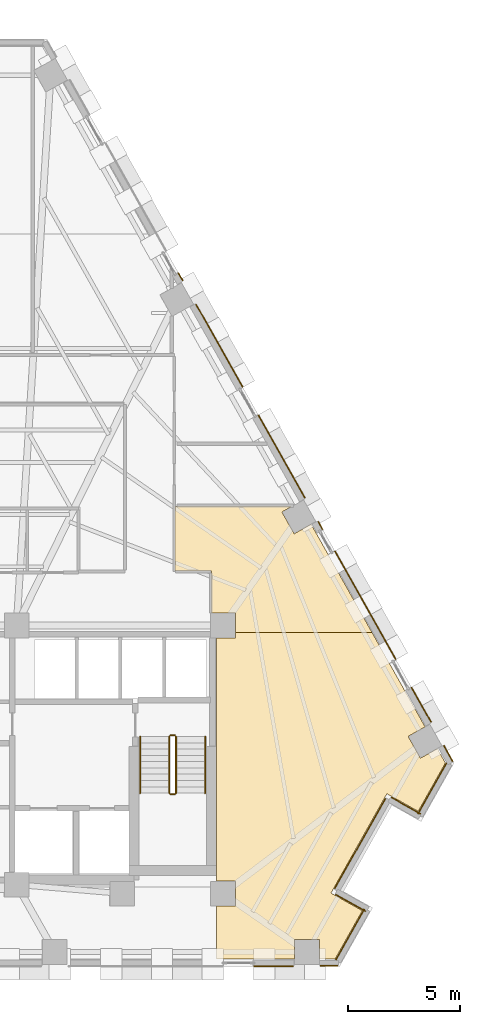
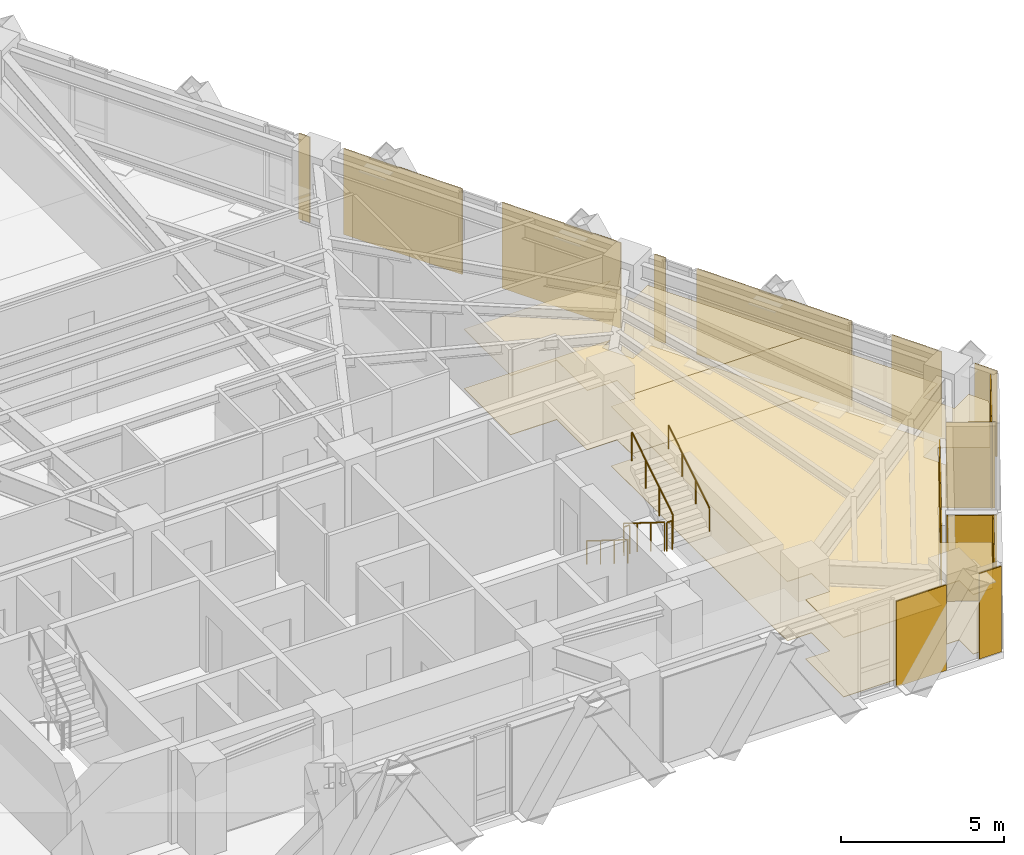
# One storey, part 12 of 13: 18 coverings, 6 railings.
"""IFC4 building model written with IfcOpenShell, lengths in metres."""

import ifcopenshell
import ifcopenshell.guid

model = None  # the IFC model being written
_history = None  # IfcOwnerHistory: only IFC2X3 demands one
_inside = {}  # id of a spatial element -> (the spatial element, [elements in it])
_under = {}  # id of a project, library or spatial element -> (it, [spatial elements below it])
_declared = {}  # id of a project -> (the project, [libraries it declares])
_typed = {}  # id of a type object -> (the type object, [elements of that type])
_made_of = {}  # id of a material, layer set ... -> (it, [elements and type objects made of it])


def new_model(schema):
    """Start an empty IFC model of exactly this schema.

    Asked for "IFC4X3", IfcOpenShell would pick the latest addendum, in which some entities
    have other attributes; the version numbers below select the first issue.
    IFC2X3 requires an IfcOwnerHistory on every rooted entity: one is made here for all.
    """
    global model, _history
    if schema == "IFC4X3":
        model = ifcopenshell.file(schema_version=(4, 3, 0, 0))
    else:
        model = ifcopenshell.file(schema=schema)
    _inside.clear()
    _under.clear()
    _declared.clear()
    _typed.clear()
    _made_of.clear()
    _history = None
    if model.schema == "IFC2X3":
        org = make("IfcOrganization", Name="unknown")
        user = make(
            "IfcPersonAndOrganization",
            ThePerson=make("IfcPerson", FamilyName="unknown"),
            TheOrganization=org,
        )
        app = make(
            "IfcApplication",
            ApplicationDeveloper=org,
            Version="unknown",
            ApplicationFullName="unknown",
            ApplicationIdentifier="unknown",
        )
        _history = make(
            "IfcOwnerHistory",
            OwningUser=user,
            OwningApplication=app,
            ChangeAction="ADDED",
            CreationDate=0,
        )
    return model


def make(cls, **values):
    """One entity of the class cls with the attributes given. An attribute that is None is left unset."""
    return model.create_entity(
        cls, **{name: value for name, value in values.items() if value is not None}
    )


def rooted(cls, **values):
    """An entity with a GlobalId (a new one), such as an element, a storey or a relation."""
    return make(cls, GlobalId=ifcopenshell.guid.new(), OwnerHistory=_history, **values)


def si_unit(unit_type, name, prefix=None):
    """IfcSIUnit, for example si_unit("LENGTHUNIT", "METRE", prefix="MILLI")."""
    return make("IfcSIUnit", UnitType=unit_type, Prefix=prefix, Name=name)


def assignment(units):
    """IfcUnitAssignment: the units of a project."""
    return None if units is None else make("IfcUnitAssignment", Units=units)


def point(xyz):
    """IfcCartesianPoint."""
    return None if xyz is None else make("IfcCartesianPoint", Coordinates=xyz)


def direction(xyz):
    """IfcDirection."""
    return None if xyz is None else make("IfcDirection", DirectionRatios=xyz)


def frame(location, z_axis=None, x_axis=None):
    """IfcAxis2Placement3D, a coordinate frame: its origin and axes. An axis left out is left unset."""
    return make(
        "IfcAxis2Placement3D",
        Location=point(location),
        Axis=direction(z_axis),
        RefDirection=direction(x_axis),
    )


def frame_2d(location, x_axis=None):
    """IfcAxis2Placement2D, a coordinate frame in the plane: its origin and x axis."""
    return make(
        "IfcAxis2Placement2D", Location=point(location), RefDirection=direction(x_axis)
    )


def origin():
    """The frame at (0, 0, 0) with its axes left unset."""
    return frame((0.0, 0.0, 0.0))


def origin_2d():
    """The frame at (0, 0) in the plane with its x axis left unset."""
    return frame_2d((0.0, 0.0))


def place(relative_to, where):
    """IfcLocalPlacement: puts the frame where relative to a parent placement (None: the world)."""
    return make(
        "IfcLocalPlacement", PlacementRelTo=relative_to, RelativePlacement=where
    )


def context(
    kind, dimensions, precision=None, world=None, true_north=None, identifier=None
):
    """IfcGeometricRepresentationContext, for example the 3D "Model" context."""
    return make(
        "IfcGeometricRepresentationContext",
        ContextIdentifier=identifier,
        ContextType=kind,
        CoordinateSpaceDimension=dimensions,
        Precision=precision,
        WorldCoordinateSystem=world,
        TrueNorth=true_north,
    )


def subcontext(parent, identifier, kind, view, scale=None):
    """IfcGeometricRepresentationSubContext, for example "Body" below "Model"."""
    return make(
        "IfcGeometricRepresentationSubContext",
        ContextIdentifier=identifier,
        ContextType=kind,
        ParentContext=parent,
        TargetScale=scale,
        TargetView=view,
    )


def project(units=None, contexts=None):
    """IfcProject with its units and contexts."""
    return rooted(
        "IfcProject",
        Name="project",
        RepresentationContexts=contexts,
        UnitsInContext=assignment(units),
    )


def spatial(cls, under=None, at=None, **own):
    """A site, building, storey or space (cls), placed at a placement, below another one or the project."""
    s = rooted(cls, ObjectPlacement=at, **own)
    if under is not None:
        _under.setdefault(under.id(), (under, []))[1].append(s)
    return s


def polyline(points):
    """IfcPolyline through the points."""
    return make("IfcPolyline", Points=[point(p) for p in points])


def profile(cls, at=None, kind="AREA", **sizes):
    """A parametric profile (cls). Its sizes go by their IFC names, for example OverallWidth=200.0."""
    return make(cls, ProfileType=kind, Position=at, **sizes)


def circle(**sizes):
    """IfcCircleProfileDef."""
    return profile("IfcCircleProfileDef", **sizes)


def outline(outer, holes=None, kind="AREA"):
    """IfcArbitraryClosedProfileDef: a profile drawn as a closed curve; with holes, ...WithVoids."""
    if holes is None:
        return make("IfcArbitraryClosedProfileDef", ProfileType=kind, OuterCurve=outer)
    return make(
        "IfcArbitraryProfileDefWithVoids",
        ProfileType=kind,
        OuterCurve=outer,
        InnerCurves=holes,
    )


def extrude(swept, where, along, depth):
    """IfcExtrudedAreaSolid: the profile swept, set in the frame where, extruded along a direction by depth."""
    return make(
        "IfcExtrudedAreaSolid",
        SweptArea=swept,
        Position=where,
        ExtrudedDirection=direction(along),
        Depth=depth,
    )


def shape(context_of_items, identifier, shape_type, items):
    """IfcShapeRepresentation: the items that make up one representation, for example the "Body"."""
    return make(
        "IfcShapeRepresentation",
        ContextOfItems=context_of_items,
        RepresentationIdentifier=identifier,
        RepresentationType=shape_type,
        Items=items,
    )


def material(Name=None, Category=None):
    """IfcMaterial."""
    return make("IfcMaterial", Name=Name, Category=Category)


def layer(
    of_material, thickness, ventilated=None, Name=None, Category=None, Priority=None
):
    """IfcMaterialLayer: one layer of a wall or slab, of a material (None: an air gap)."""
    return make(
        "IfcMaterialLayer",
        Material=of_material,
        LayerThickness=thickness,
        IsVentilated=ventilated,
        Name=Name,
        Category=Category,
        Priority=Priority,
    )


def layer_set(layers, Name=None):
    """IfcMaterialLayerSet."""
    return make("IfcMaterialLayerSet", MaterialLayers=layers, LayerSetName=Name)


def made_of(thing, what):
    """Note that an element or type object is made of a material, layer set ...; save() writes the relation."""
    if what is not None:
        _made_of.setdefault(what.id(), (what, []))[1].append(thing)
    return thing


def type_object(cls, material=None, **own):
    """A type object (cls), such as IfcWallType, which elements share."""
    return made_of(rooted(cls, **own), material)


def element(
    cls,
    number,
    at=None,
    inside=None,
    cuts=None,
    type_object=None,
    material=None,
    context=None,
    identifier="Body",
    shape_type=None,
    held_by="IfcProductDefinitionShape",
    body=None,
    shapes=None,
    **own,
):
    """One element of the class cls, such as IfcWall. Its Tag is "e" and its number.

    at: its placement. inside: the storey or other place that contains it. cuts: it is an
    opening in that element (IfcRelVoidsElement). A single representation is given by context,
    identifier, shape_type and body (its items); several are given by shapes. held_by: the class
    of the entity that holds the representations. save() writes the other relations.
    """
    e = rooted(cls, Tag="e%d" % number, ObjectPlacement=at, **own)
    if body is not None:
        shapes = [shape(context, identifier, shape_type, body)]
    if shapes is not None:
        e.Representation = make(held_by, Representations=shapes)
    if inside is not None:
        _inside.setdefault(inside.id(), (inside, []))[1].append(e)
    if cuts is not None:
        rooted(
            "IfcRelVoidsElement", RelatingBuildingElement=cuts, RelatedOpeningElement=e
        )
    if type_object is not None:
        _typed.setdefault(type_object.id(), (type_object, []))[1].append(e)
    return made_of(e, material)


def aggregate(whole, parts):
    """IfcRelAggregates: a whole, such as a stair, and the parts it consists of."""
    return rooted("IfcRelAggregates", RelatingObject=whole, RelatedObjects=parts)


def save(model, path):
    """Write the relations noted so far, then the file.

    IfcRelAggregates (storeys below a building ...), IfcRelContainedInSpatialStructure (elements
    in a storey), IfcRelDefinesByType, IfcRelAssociatesMaterial and IfcRelDeclares: one each for
    every whole, place, type object, material and project.
    """
    for whole, parts in _under.values():
        aggregate(whole, parts)
    for where, things in _inside.values():
        rooted(
            "IfcRelContainedInSpatialStructure",
            RelatedElements=things,
            RelatingStructure=where,
        )
    for kind, things in _typed.values():
        rooted("IfcRelDefinesByType", RelatedObjects=things, RelatingType=kind)
    for what, things in _made_of.values():
        rooted("IfcRelAssociatesMaterial", RelatedObjects=things, RelatingMaterial=what)
    for by, libraries in _declared.values():
        rooted("IfcRelDeclares", RelatingContext=by, RelatedDefinitions=libraries)
    model.write(path)


model = new_model("IFC4")

# Units and contexts
model_context = context("Model", 3, precision=1e-05, world=origin(), true_north=direction((0.0, 1.0)))
body_context = subcontext(model_context, "Body", "Model", "MODEL_VIEW")
ifc_project = project(units=[si_unit("LENGTHUNIT", "METRE"), si_unit("AREAUNIT", "SQUARE_METRE"), si_unit("VOLUMEUNIT", "CUBIC_METRE"), si_unit("PLANEANGLEUNIT", "RADIAN"), si_unit("MASSUNIT", "GRAM", prefix="KILO")], contexts=[model_context])

# Site, building, storey
site_placement = place(None, origin())
site = spatial("IfcSite", under=ifc_project, at=site_placement, CompositionType="ELEMENT")
building_placement = place(site_placement, origin())
building = spatial("IfcBuilding", under=site, at=building_placement, Name="Quenlor Broadcast Tower", CompositionType="ELEMENT")
storey_placement = place(building_placement, frame((0.0, 0.0, 95.0)))
storey = spatial("IfcBuildingStorey", under=building, at=storey_placement, Name="L25", CompositionType="ELEMENT", Elevation=95.0)

# Coverings
ifc_material_1 = material(Name="Acoustic Mineral Fibre Board", Category="other")
ifc_layer_1 = layer(ifc_material_1, 0.02490234375)
ifc_layer_set_1 = layer_set([ifc_layer_1], Name="Acoustic Perforated Mineral Tile Ceiling 25")
covering_type_1 = type_object("IfcCoveringType", Name="Acoustic Perforated Mineral Tile Ceiling 25", PredefinedType="CEILING", material=ifc_layer_set_1)
covering_1_placement = place(storey_placement, frame((0.0, 0.0, 2.22509765625)))
element("IfcCovering", 1, at=covering_1_placement, inside=storey, type_object=covering_type_1, Name="L25 Acoustic Ceiling L25-38-2", PredefinedType="CEILING", context=body_context, shape_type="SweptSolid", body=[
    extrude(outline(polyline([(13.508056640625, -4.241943359375), (12.43994140625, -4.241943359375), (12.43994140625, -2.3701171875), (10.804931640625, -2.3701171875), (10.804931640625, 0.499755859375), (16.004150390625, 0.499755859375), (15.5703125, 0.255615234375), (16.1171875, -0.717041015625), (16.873779296875, -0.29150390625), (19.58984375, -5.1201171875), (13.508056640625, -5.1201171875), (13.508056640625, -4.241943359375)])), origin(), (0.0, 0.0, 1.0), 0.02490234375),
])
covering_2_placement = place(storey_placement, frame((0.0, 0.0, 2.22509765625)))
element("IfcCovering", 2, at=covering_2_placement, inside=storey, type_object=covering_type_1, Name="L25 Acoustic Ceiling L25-38-5", PredefinedType="CEILING", context=body_context, shape_type="SweptSolid", body=[
    extrude(outline(polyline([(13.508056640625, -17.30810546875), (13.508056640625, -16.19189453125), (12.64990234375, -16.19189453125), (12.64990234375, -5.35791015625), (13.508056640625, -5.35791015625), (13.508056640625, -5.1201171875), (19.58984375, -5.1201171875), (21.951416015625, -9.318115234375), (21.19482421875, -9.74365234375), (21.741943359375, -10.71630859375), (22.49853515625, -10.290771484375), (22.85693359375, -10.927978515625), (21.64453125, -13.08349609375), (20.25, -12.299072265625), (17.759521484375, -16.7265625), (19.15380859375, -17.510986328125), (17.9453125, -19.659912109375), (17.25048828125, -19.659912109375), (17.25048828125, -18.7919921875), (16.134521484375, -18.7919921875), (16.134521484375, -19.659912109375), (12.64990234375, -19.659912109375), (12.64990234375, -17.30810546875), (13.508056640625, -17.30810546875)])), origin(), (0.0, 0.0, 1.0), 0.02490234375),
])
ifc_material_2 = material(Name="Architectural Terracotta Ceramic", Category="masonry")
ifc_layer_2 = layer(ifc_material_2, 0.044921875)
ifc_layer_set_2 = layer_set([ifc_layer_2], Name="Fluted Terracotta Rainscreen Cladding Panel")
covering_type_2 = type_object("IfcCoveringType", Name="Fluted Terracotta Rainscreen Cladding Panel", PredefinedType="CLADDING", material=ifc_layer_set_2)
covering_3_placement = place(storey_placement, frame((0.0, 0.0, 0.02001953125)))
element("IfcCovering", 3, at=covering_3_placement, inside=storey, type_object=covering_type_2, Name="L25 Terracotta Rainscreen Cladding L25-SHD-SS0", PredefinedType="CLADDING", context=body_context, shape_type="SweptSolid", body=[
    extrude(outline(polyline([(18.053955078125, -19.951904296875), (17.277587890625, -19.951904296875), (17.277587890625, -19.9970703125), (18.053955078125, -19.9970703125), (18.053955078125, -19.951904296875)])), origin(), (0.0, 0.0, 1.0), 3.2099609375),
])
covering_4_placement = place(storey_placement, frame((0.0, 0.0, 0.02001953125)))
element("IfcCovering", 4, at=covering_4_placement, inside=storey, type_object=covering_type_2, Name="L25 Terracotta Rainscreen Cladding L25-SA-SP1", PredefinedType="CLADDING", context=body_context, shape_type="SweptSolid", body=[
    extrude(outline(polyline([(16.08740234375, -19.971923828125), (14.32177734375, -19.971923828125), (14.32177734375, -20.01708984375), (16.08740234375, -20.01708984375), (16.08740234375, -19.971923828125)])), origin(), (0.0, 0.0, 1.0), 3.2099609375),
])
covering_5_placement = place(storey_placement, frame((0.0, 0.0, 0.02001953125)))
element("IfcCovering", 5, at=covering_5_placement, inside=storey, type_object=covering_type_2, Name="L25 Terracotta Rainscreen Cladding L25-SHD-NES1", PredefinedType="CLADDING", context=body_context, shape_type="SweptSolid", body=[
    extrude(outline(polyline([(22.76611328125, -10.171142578125), (23.160888671875, -10.873046875), (23.2001953125, -10.85107421875), (22.805419921875, -10.149169921875), (22.76611328125, -10.171142578125)])), origin(), (0.0, 0.0, 1.0), 3.2099609375),
])
covering_6_placement = place(storey_placement, frame((0.0, 0.0, 0.02001953125)))
element("IfcCovering", 6, at=covering_6_placement, inside=storey, type_object=covering_type_2, Name="L25 Terracotta Rainscreen Cladding L25-NEA-SP3", PredefinedType="CLADDING", context=body_context, shape_type="SweptSolid", body=[
    extrude(outline(polyline([(10.936279296875, 10.900634765625), (11.13232421875, 10.552001953125), (11.171630859375, 10.57421875), (10.9755859375, 10.922607421875), (10.936279296875, 10.900634765625)])), origin(), (0.0, 0.0, 1.0), 3.2099609375),
])
covering_7_placement = place(storey_placement, frame((0.0, 0.0, 0.02001953125)))
element("IfcCovering", 7, at=covering_7_placement, inside=storey, type_object=covering_type_2, Name="L25 Terracotta Rainscreen Cladding L25-NEC-SP1", PredefinedType="CLADDING", context=body_context, shape_type="SweptSolid", body=[
    extrude(outline(polyline([(17.168701171875, -0.179443359375), (17.36474609375, -0.528076171875), (17.404052734375, -0.506103515625), (17.2080078125, -0.157470703125), (17.168701171875, -0.179443359375)])), origin(), (0.0, 0.0, 1.0), 3.2099609375),
])
covering_8_placement = place(storey_placement, frame((0.0, 0.0, 0.02001953125)))
element("IfcCovering", 8, at=covering_8_placement, inside=storey, type_object=covering_type_2, Name="L25 Terracotta Rainscreen Cladding L25-NEC-SP2", PredefinedType="CLADDING", context=body_context, shape_type="SweptSolid", body=[
    extrude(outline(polyline([(17.912841796875, -1.502197265625), (20.62744140625, -6.328369140625), (20.666748046875, -6.306396484375), (17.951904296875, -1.47998046875), (17.912841796875, -1.502197265625)])), origin(), (0.0, 0.0, 1.0), 3.2099609375),
])
covering_9_placement = place(storey_placement, frame((0.0, 0.0, 0.02001953125)))
element("IfcCovering", 9, at=covering_9_placement, inside=storey, type_object=covering_type_2, Name="L25 Terracotta Rainscreen Cladding L25-NEC-SP3", PredefinedType="CLADDING", context=body_context, shape_type="SweptSolid", body=[
    extrude(outline(polyline([(21.325927734375, -7.56982421875), (22.2001953125, -9.1240234375), (22.239501953125, -9.10205078125), (21.364990234375, -7.5478515625), (21.325927734375, -7.56982421875)])), origin(), (0.0, 0.0, 1.0), 3.2099609375),
])
covering_10_placement = place(storey_placement, frame((0.0, 0.0, 0.02001953125)))
element("IfcCovering", 10, at=covering_10_placement, inside=storey, type_object=covering_type_2, Name="L25 Terracotta Rainscreen Cladding L25-NE-SP1", PredefinedType="CLADDING", context=body_context, shape_type="SweptSolid", body=[
    extrude(outline(polyline([(11.72314453125, 9.501708984375), (13.801513671875, 5.806884765625), (13.8408203125, 5.8291015625), (11.76220703125, 9.523681640625), (11.72314453125, 9.501708984375)])), origin(), (0.0, 0.0, 1.0), 3.2099609375),
])
covering_11_placement = place(storey_placement, frame((0.0, 0.0, 0.02001953125)))
element("IfcCovering", 11, at=covering_11_placement, inside=storey, type_object=covering_type_2, Name="L25 Terracotta Rainscreen Cladding L25-NE-SP2", PredefinedType="CLADDING", context=body_context, shape_type="SweptSolid", body=[
    extrude(outline(polyline([(14.499755859375, 4.565673828125), (16.577880859375, 0.870849609375), (16.6171875, 0.892822265625), (14.538818359375, 4.587646484375), (14.499755859375, 4.565673828125)])), origin(), (0.0, 0.0, 1.0), 3.2099609375),
])
covering_12_placement = place(storey_placement, frame((0.0, 0.0, 0.02001953125)))
element("IfcCovering", 12, at=covering_12_placement, inside=storey, type_object=covering_type_2, Name="L25 Terracotta Rainscreen Cladding L25-CNR-01", PredefinedType="CLADDING", context=body_context, shape_type="SweptSolid", body=[
    extrude(outline(polyline([(19.31787109375, -17.525390625), (17.9755859375, -16.770263671875), (17.95361328125, -16.8095703125), (19.2958984375, -17.564697265625), (19.31787109375, -17.525390625)])), origin(), (0.0, 0.0, 1.0), 3.2099609375),
])
covering_13_placement = place(storey_placement, frame((0.0, 0.0, 0.02001953125)))
element("IfcCovering", 13, at=covering_13_placement, inside=storey, type_object=covering_type_2, Name="L25 Terracotta Rainscreen Cladding L25-CNR-02", PredefinedType="CLADDING", context=body_context, shape_type="SweptSolid", body=[
    extrude(outline(polyline([(17.941162109375, -16.5419921875), (20.206298828125, -12.515380859375), (20.1669921875, -12.493408203125), (17.902099609375, -16.52001953125), (17.941162109375, -16.5419921875)])), origin(), (0.0, 0.0, 1.0), 2.681884765625),
])
covering_14_placement = place(storey_placement, frame((0.0, 0.0, 0.02001953125)))
element("IfcCovering", 14, at=covering_14_placement, inside=storey, type_object=covering_type_2, Name="L25 Terracotta Rainscreen Cladding L25-CNR-03", PredefinedType="CLADDING", context=body_context, shape_type="SweptSolid", body=[
    extrude(outline(polyline([(20.4345703125, -12.48095703125), (21.741943359375, -13.21630859375), (21.763916015625, -13.177001953125), (20.45654296875, -12.441650390625), (20.4345703125, -12.48095703125)])), origin(), (0.0, 0.0, 1.0), 3.2099609375),
])
covering_15_placement = place(storey_placement, frame((0.0, 0.0, 0.02001953125)))
element("IfcCovering", 15, at=covering_15_placement, inside=storey, type_object=covering_type_2, Name="L25 Terracotta Rainscreen Cladding L25-CNR-04", PredefinedType="CLADDING", context=body_context, shape_type="SweptSolid", body=[
    extrude(outline(polyline([(21.64990234375, -13.212646484375), (22.926513671875, -10.94287109375), (22.887451171875, -10.9208984375), (21.610595703125, -13.190673828125), (21.64990234375, -13.212646484375)])), origin(), (0.0, 0.0, 1.0), 3.2099609375),
])
covering_16_placement = place(storey_placement, frame((0.0, 0.0, 0.02001953125)))
element("IfcCovering", 16, at=covering_16_placement, inside=storey, type_object=covering_type_2, Name="L25 Terracotta Rainscreen Cladding L25-CNR-18", PredefinedType="CLADDING", context=body_context, shape_type="SweptSolid", body=[
    extrude(outline(polyline([(17.991943359375, -19.71533203125), (19.26708984375, -17.448486328125), (19.227783203125, -17.426513671875), (17.952880859375, -19.693359375), (17.991943359375, -19.71533203125)])), origin(), (0.0, 0.0, 1.0), 3.2099609375),
])
ifc_material_3 = material(Name="Terrazzo Stone Finish", Category="masonry")
ifc_layer_3 = layer(ifc_material_3, 0.02001953125)
ifc_layer_set_3 = layer_set([ifc_layer_3], Name="Polished Sandstone Terrazzo Flooring 20")
covering_type_3 = type_object("IfcCoveringType", Name="Polished Sandstone Terrazzo Flooring 20", PredefinedType="FLOORING", material=ifc_layer_set_3)
covering_17_placement = place(storey_placement, origin())
element("IfcCovering", 17, at=covering_17_placement, inside=storey, type_object=covering_type_3, Name="L25 Terrazzo Flooring L25-38-2", PredefinedType="FLOORING", context=body_context, shape_type="SweptSolid", body=[
    extrude(outline(polyline([(13.508056640625, -4.241943359375), (12.43994140625, -4.241943359375), (12.43994140625, -2.3701171875), (10.804931640625, -2.3701171875), (10.804931640625, 0.499755859375), (16.004150390625, 0.499755859375), (15.5703125, 0.255615234375), (16.1171875, -0.717041015625), (16.873779296875, -0.29150390625), (19.58984375, -5.1201171875), (13.508056640625, -5.1201171875), (13.508056640625, -4.241943359375)])), origin(), (0.0, 0.0, 1.0), 0.02001953125),
])
covering_18_placement = place(storey_placement, origin())
element("IfcCovering", 18, at=covering_18_placement, inside=storey, type_object=covering_type_3, Name="L25 Terrazzo Flooring L25-38-5", PredefinedType="FLOORING", context=body_context, shape_type="SweptSolid", body=[
    extrude(outline(polyline([(13.508056640625, -17.30810546875), (13.508056640625, -16.19189453125), (12.64990234375, -16.19189453125), (12.64990234375, -5.35791015625), (13.508056640625, -5.35791015625), (13.508056640625, -5.1201171875), (19.58984375, -5.1201171875), (21.951416015625, -9.318115234375), (21.19482421875, -9.74365234375), (21.741943359375, -10.71630859375), (22.49853515625, -10.290771484375), (22.85693359375, -10.927978515625), (21.64453125, -13.08349609375), (20.25, -12.299072265625), (17.759521484375, -16.7265625), (19.15380859375, -17.510986328125), (17.9453125, -19.659912109375), (17.25048828125, -19.659912109375), (17.25048828125, -18.7919921875), (16.134521484375, -18.7919921875), (16.134521484375, -19.659912109375), (12.64990234375, -19.659912109375), (12.64990234375, -17.30810546875), (13.508056640625, -17.30810546875)])), origin(), (0.0, 0.0, 1.0), 0.02001953125),
])

# Railings
ifc_material_4 = material(Name="Anodised Aluminium", Category="aluminium")
railing_type_1 = type_object("IfcRailingType", Name="Stainless Aluminium Wall Handrail 900", PredefinedType="HANDRAIL", material=ifc_material_4)
railing_1_placement = place(storey_placement, frame((9.25, -9.75, 0.175048828125)))
element("IfcRailing", 19, at=railing_1_placement, inside=storey, type_object=railing_type_1, Name="L25 ST-2 stair handrail 1", PredefinedType="HANDRAIL", context=body_context, shape_type="SweptSolid", body=[
    extrude(circle(Radius=0.02392578125, at=origin_2d()), frame((0.0, 0.0, 0.8759765625), z_axis=(0.0, -0.848007534815, 0.529984170421), x_axis=(1.0, 0.0, 0.0)), (0.0, 0.0, 1.0), 2.9716796875),
    extrude(circle(Radius=0.02099609375, at=origin_2d()), origin(), (0.0, 0.0, 1.0), 0.851806640625),
    extrude(circle(Radius=0.02099609375, at=origin_2d()), frame((0.0, -0.840087890625, 0.52490234375)), (0.0, 0.0, 1.0), 0.851806640625),
    extrude(circle(Radius=0.02099609375, at=origin_2d()), frame((0.0, -1.679931640625, 1.050048828125)), (0.0, 0.0, 1.0), 0.851806640625),
    extrude(circle(Radius=0.02099609375, at=origin_2d()), frame((0.0, -2.52001953125, 1.574951171875)), (0.0, 0.0, 1.0), 0.851806640625),
])
railing_2_placement = place(storey_placement, frame((12.14990234375, -12.27001953125, 1.925048828125)))
element("IfcRailing", 20, at=railing_2_placement, inside=storey, type_object=railing_type_1, Name="L25 ST-2 stair handrail 2", PredefinedType="HANDRAIL", context=body_context, shape_type="SweptSolid", body=[
    extrude(circle(Radius=0.02392578125, at=origin_2d()), frame((0.0, 0.0, 0.8759765625), z_axis=(0.0, 0.848007534815, 0.529984170421), x_axis=(-1.0, 0.0, 0.0)), (0.0, 0.0, 1.0), 2.9716796875),
    extrude(circle(Radius=0.02099609375, at=origin_2d()), origin(), (0.0, 0.0, 1.0), 0.851806640625),
    extrude(circle(Radius=0.02099609375, at=origin_2d()), frame((0.0, 0.840087890625, 0.52490234375)), (0.0, 0.0, 1.0), 0.851806640625),
    extrude(circle(Radius=0.02099609375, at=origin_2d()), frame((0.0, 1.679931640625, 1.050048828125)), (0.0, 0.0, 1.0), 0.851806640625),
    extrude(circle(Radius=0.02099609375, at=origin_2d()), frame((0.0, 2.52001953125, 1.574951171875)), (0.0, 0.0, 1.0), 0.851806640625),
])
ifc_material_5 = material(Name="Steel S355", Category="steel")
railing_type_2 = type_object("IfcRailingType", Name="Tubular Steel S355 Stair Guardrail 1100", PredefinedType="BALUSTRADE", material=ifc_material_5)
railing_3_placement = place(storey_placement, frame((10.550048828125, -9.75, 0.175048828125)))
element("IfcRailing", 21, at=railing_3_placement, inside=storey, type_object=railing_type_2, Name="L25 ST-2 stair guard 1", PredefinedType="BALUSTRADE", context=body_context, shape_type="SweptSolid", body=[
    extrude(circle(Radius=0.02392578125, at=origin_2d()), frame((0.0, 0.0, 1.076171875), z_axis=(0.0, -0.848007534815, 0.529984170421), x_axis=(1.0, 0.0, 0.0)), (0.0, 0.0, 1.0), 2.9716796875),
    extrude(circle(Radius=0.02099609375, at=origin_2d()), origin(), (0.0, 0.0, 1.0), 1.052001953125),
    extrude(circle(Radius=0.02099609375, at=origin_2d()), frame((0.0, -0.840087890625, 0.52490234375)), (0.0, 0.0, 1.0), 1.052001953125),
    extrude(circle(Radius=0.02099609375, at=origin_2d()), frame((0.0, -1.679931640625, 1.050048828125)), (0.0, 0.0, 1.0), 1.052001953125),
    extrude(circle(Radius=0.02099609375, at=origin_2d()), frame((0.0, -2.52001953125, 1.574951171875)), (0.0, 0.0, 1.0), 1.052001953125),
])
railing_4_placement = place(storey_placement, frame((10.60009765625, -12.320068359375, 1.75)))
element("IfcRailing", 22, at=railing_4_placement, inside=storey, type_object=railing_type_2, Name="L25 ST-2 stair guard 2", PredefinedType="BALUSTRADE", context=body_context, shape_type="SweptSolid", body=[
    extrude(circle(Radius=0.02392578125, at=origin_2d()), frame((0.0, 0.0, 1.076171875), z_axis=(1.0, 0.0, 0.0), x_axis=(0.0, 1.0, 0.0)), (0.0, 0.0, 1.0), 0.199951171875),
    extrude(circle(Radius=0.02099609375, at=origin_2d()), origin(), (0.0, 0.0, 1.0), 1.052001953125),
    extrude(circle(Radius=0.02099609375, at=origin_2d()), frame((0.199951171875, 0.0, 0.0)), (0.0, 0.0, 1.0), 1.052001953125),
])
railing_5_placement = place(storey_placement, frame((10.85009765625, -12.27001953125, 1.925048828125)))
element("IfcRailing", 23, at=railing_5_placement, inside=storey, type_object=railing_type_2, Name="L25 ST-2 stair guard 3", PredefinedType="BALUSTRADE", context=body_context, shape_type="SweptSolid", body=[
    extrude(circle(Radius=0.02392578125, at=origin_2d()), frame((0.0, 0.0, 1.076171875), z_axis=(0.0, 0.848007534815, 0.529984170421), x_axis=(-1.0, 0.0, 0.0)), (0.0, 0.0, 1.0), 2.9716796875),
    extrude(circle(Radius=0.02099609375, at=origin_2d()), origin(), (0.0, 0.0, 1.0), 1.052001953125),
    extrude(circle(Radius=0.02099609375, at=origin_2d()), frame((0.0, 0.840087890625, 0.52490234375)), (0.0, 0.0, 1.0), 1.052001953125),
    extrude(circle(Radius=0.02099609375, at=origin_2d()), frame((0.0, 1.679931640625, 1.050048828125)), (0.0, 0.0, 1.0), 1.052001953125),
    extrude(circle(Radius=0.02099609375, at=origin_2d()), frame((0.0, 2.52001953125, 1.574951171875)), (0.0, 0.0, 1.0), 1.052001953125),
])
railing_6_placement = place(storey_placement, frame((10.60009765625, -9.699951171875, 0.0)))
element("IfcRailing", 24, at=railing_6_placement, inside=storey, type_object=railing_type_2, Name="L25 ST-2 stair guard 4", PredefinedType="BALUSTRADE", context=body_context, shape_type="SweptSolid", body=[
    extrude(circle(Radius=0.02392578125, at=origin_2d()), frame((0.0, 0.0, 1.076171875), z_axis=(1.0, 0.0, 0.0), x_axis=(0.0, 1.0, 0.0)), (0.0, 0.0, 1.0), 0.199951171875),
    extrude(circle(Radius=0.02099609375, at=origin_2d()), origin(), (0.0, 0.0, 1.0), 1.052001953125),
    extrude(circle(Radius=0.02099609375, at=origin_2d()), frame((0.199951171875, 0.0, 0.0)), (0.0, 0.0, 1.0), 1.052001953125),
])

save(model, "model.ifc")
